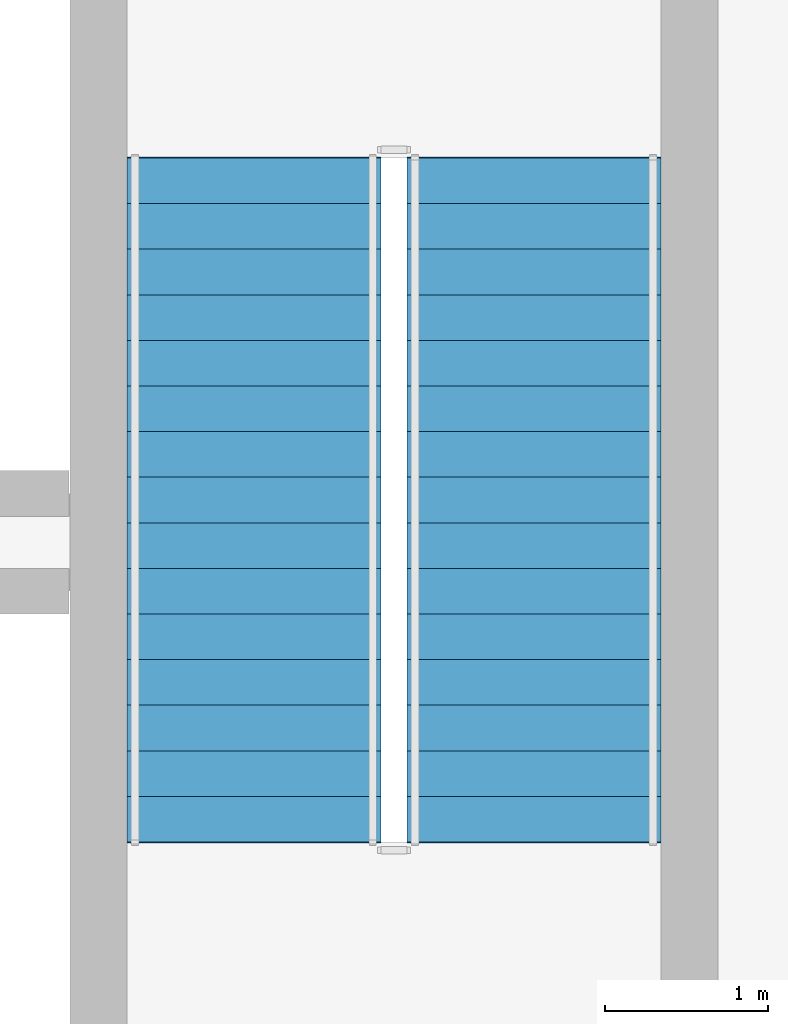
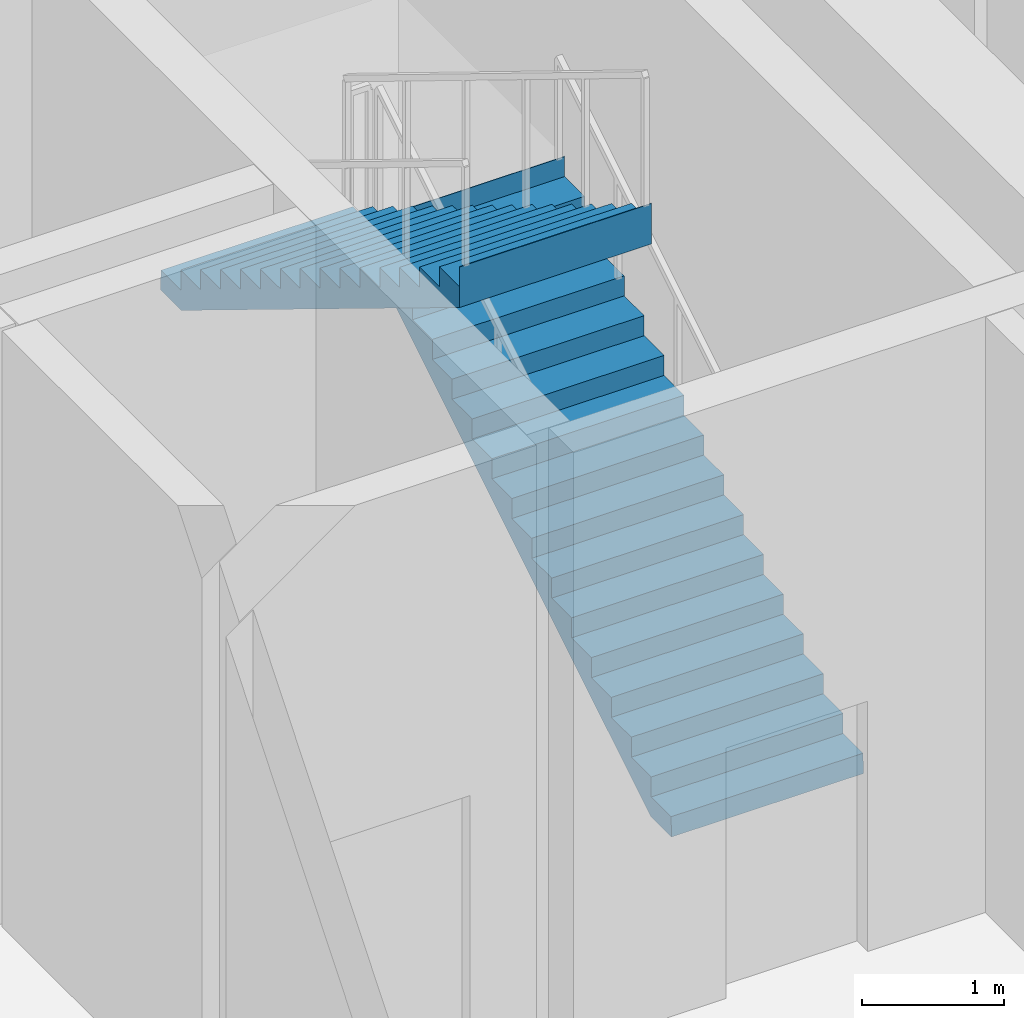
# One storey, part 23 of 26: 2 stair flights, 1 element without a shape of its own.
"""IFC4 building model written with IfcOpenShell, lengths in metres."""

from ifc_helpers import new_model, si_unit, direction, frame, origin, place, context, subcontext, project, spatial, polyline, outline, extrude, material, type_object, element, aggregate, save


model = new_model("IFC4")

# Units and contexts
model_context = context("Model", 3, precision=1e-05, world=origin(), true_north=direction((0.0, 1.0)))
body_context = subcontext(model_context, "Body", "Model", "MODEL_VIEW")
ifc_project = project(units=[si_unit("LENGTHUNIT", "METRE"), si_unit("AREAUNIT", "SQUARE_METRE"), si_unit("VOLUMEUNIT", "CUBIC_METRE"), si_unit("PLANEANGLEUNIT", "RADIAN"), si_unit("MASSUNIT", "GRAM", prefix="KILO")], contexts=[model_context])

# Site, building, storey
site_placement = place(None, origin())
site = spatial("IfcSite", under=ifc_project, at=site_placement, CompositionType="ELEMENT")
building_placement = place(site_placement, origin())
building = spatial("IfcBuilding", under=site, at=building_placement, Name="Kaelvorn Grand Hotel", CompositionType="ELEMENT")
storey_placement = place(building_placement, frame((0.0, 0.0, 294.699951171875)))
storey = spatial("IfcBuildingStorey", under=building, at=storey_placement, Name="L72", CompositionType="ELEMENT", Elevation=294.699951171875)

# Stair, stair flights
ifc_material = material(Name="Concrete C40/50", Category="concrete")
stair_type = type_object("IfcStairType", Name="STR-DOG-1560-R11", PredefinedType="HALF_TURN_STAIR", material=ifc_material)
stair_placement = place(storey_placement, origin())
stair = element("IfcStair", 1, at=stair_placement, inside=storey, type_object=stair_type, Name="L72 East Core Exit Stair ST3", PredefinedType="HALF_TURN_STAIR")
stair_flight_type = type_object("IfcStairFlightType", Name="FLG-DOG-1560-R11", PredefinedType="STRAIGHT", material=ifc_material)
stair_flight_1_placement = place(storey_placement, frame((65.820068359375, 41.760009765625, 0.0), z_axis=(0.0, 0.0, 1.0), x_axis=(0.0, 1.0, 0.0)))
stair_flight_1 = element("IfcStairFlight", 2, at=stair_flight_1_placement, type_object=stair_flight_type, Name="ST3 flight 1", NumberOfRisers=16, NumberOfTreads=15, PredefinedType="STRAIGHT", RiserHeight=0.171875, TreadLength=0.28, context=body_context, shape_type="SweptSolid", body=[
    extrude(outline(polyline([(-0.0048828125, 0.0), (-0.0048828125, 0.0400390625), (0.0, 0.171875), (0.280029296875, 0.171875), (0.280029296875, 0.34375), (0.56005859375, 0.34375), (0.56005859375, 0.515625), (0.840087890625, 0.515625), (0.840087890625, 0.6875), (1.1201171875, 0.6875), (1.1201171875, 0.859375), (1.39990234375, 0.859375), (1.39990234375, 1.03125), (1.679931640625, 1.03125), (1.679931640625, 1.203125), (1.9599609375, 1.203125), (1.9599609375, 1.375), (2.239990234375, 1.375), (2.239990234375, 1.546875), (2.52001953125, 1.546875), (2.52001953125, 1.71875), (2.800048828125, 1.71875), (2.800048828125, 1.890625), (3.080078125, 1.890625), (3.080078125, 2.0625), (3.360107421875, 2.0625), (3.360107421875, 2.234375), (3.639892578125, 2.234375), (3.639892578125, 2.40625), (3.919921875, 2.40625), (3.919921875, 2.578125), (4.199951171875, 2.578125), (4.199951171875, 2.75), (4.205078125, 2.75), (4.205078125, 2.40234375), (0.28662109375, 0.0), (-0.0048828125, 0.0)])), frame((0.0, 0.780029296875, 0.0), z_axis=(0.0, -1.0, 0.0), x_axis=(1.0, 0.0, 0.0)), (0.0, 0.0, 1.0), 1.56005859375),
])
stair_flight_2_placement = place(storey_placement, frame((64.10009765625, 45.9599609375, 2.75), z_axis=(0.0, 0.0, 1.0), x_axis=(0.0, -1.0, 0.0)))
stair_flight_2 = element("IfcStairFlight", 3, at=stair_flight_2_placement, type_object=stair_flight_type, Name="ST3 flight 2", NumberOfRisers=16, NumberOfTreads=15, PredefinedType="STRAIGHT", RiserHeight=0.171875, TreadLength=0.28, context=body_context, shape_type="SweptSolid", body=[
    extrude(outline(polyline([(-0.0048828125, 0.0), (-0.0048828125, 0.0400390625), (0.0, 0.171875), (0.280029296875, 0.171875), (0.280029296875, 0.34375), (0.56005859375, 0.34375), (0.56005859375, 0.515625), (0.840087890625, 0.515625), (0.840087890625, 0.6875), (1.1201171875, 0.6875), (1.1201171875, 0.859375), (1.39990234375, 0.859375), (1.39990234375, 1.03125), (1.679931640625, 1.03125), (1.679931640625, 1.203125), (1.9599609375, 1.203125), (1.9599609375, 1.375), (2.239990234375, 1.375), (2.239990234375, 1.546875), (2.52001953125, 1.546875), (2.52001953125, 1.71875), (2.800048828125, 1.71875), (2.800048828125, 1.890625), (3.080078125, 1.890625), (3.080078125, 2.0625), (3.360107421875, 2.0625), (3.360107421875, 2.234375), (3.639892578125, 2.234375), (3.639892578125, 2.40625), (3.919921875, 2.40625), (3.919921875, 2.578125), (4.199951171875, 2.578125), (4.199951171875, 2.75), (4.205078125, 2.75), (4.205078125, 2.40234375), (0.28662109375, 0.0), (-0.0048828125, 0.0)])), frame((0.0, 0.780029296875, 0.0), z_axis=(0.0, -1.0, 0.0), x_axis=(1.0, 0.0, 0.0)), (0.0, 0.0, 1.0), 1.56005859375),
])
aggregate(stair, [stair_flight_1, stair_flight_2])

save(model, "model.ifc")
